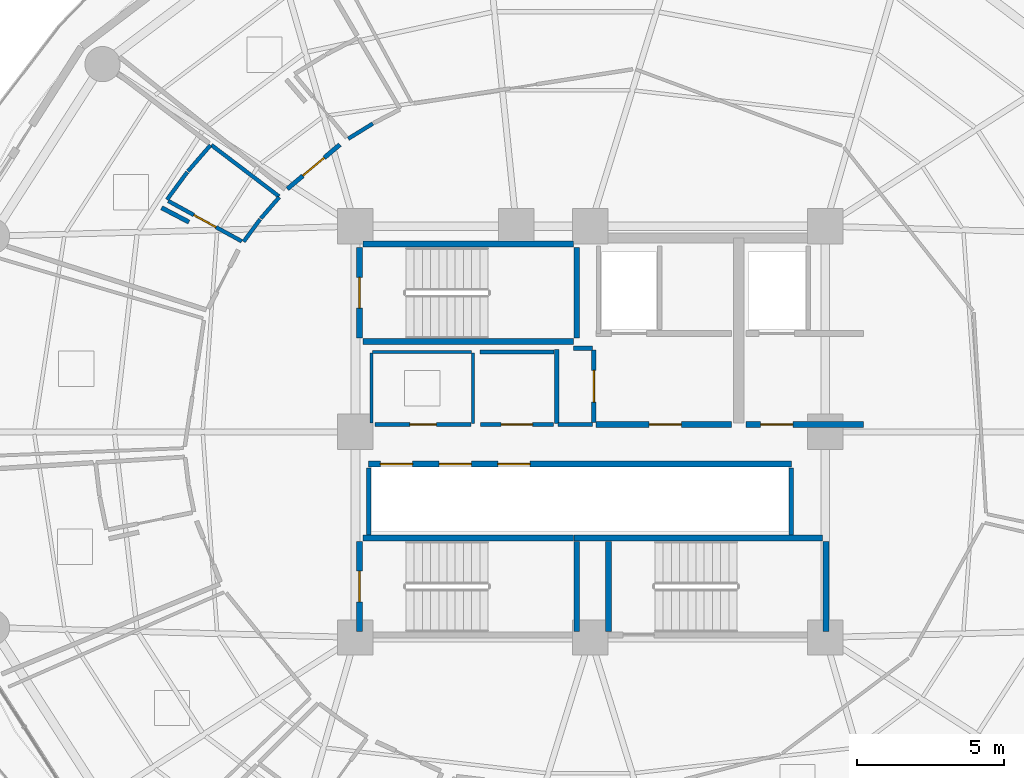
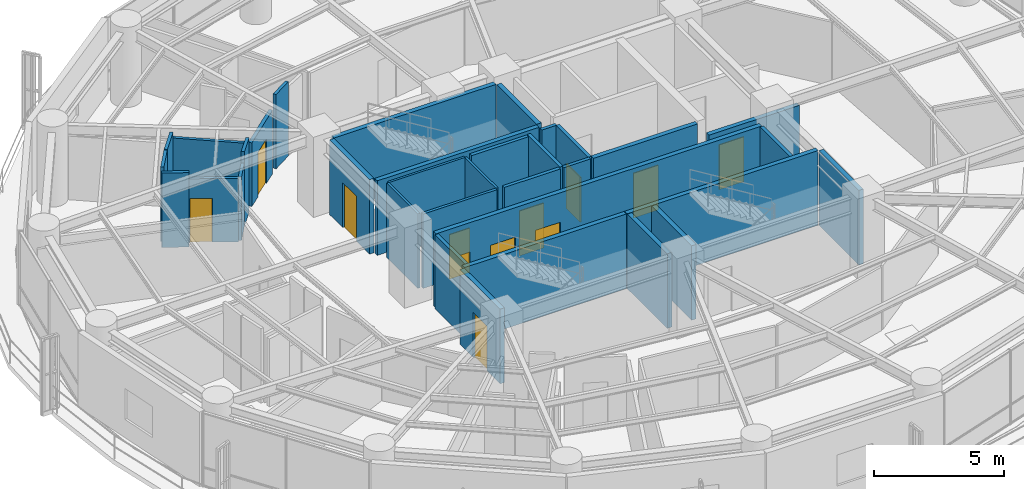
# One storey, part 22 of 27: 34 walls, 12 doors, 12 openings.
"""IFC4 building model written with IfcOpenShell, lengths in metres."""

from ifc_helpers import new_model, si_unit, direction, frame, frame_2d, origin, place, context, subcontext, project, spatial, rectangle, extrude, material, layer, layer_set, type_object, element, fill, save


model = new_model("IFC4")

# Units and contexts
model_context = context("Model", 3, precision=1e-05, world=origin(), true_north=direction((0.0, 1.0)))
body_context = subcontext(model_context, "Body", "Model", "MODEL_VIEW")
ifc_project = project(units=[si_unit("LENGTHUNIT", "METRE"), si_unit("AREAUNIT", "SQUARE_METRE"), si_unit("VOLUMEUNIT", "CUBIC_METRE"), si_unit("PLANEANGLEUNIT", "RADIAN"), si_unit("MASSUNIT", "GRAM", prefix="KILO")], contexts=[model_context])

# Site, building, storey
site_placement = place(None, origin())
site = spatial("IfcSite", under=ifc_project, at=site_placement, CompositionType="ELEMENT")
building_placement = place(site_placement, origin())
building = spatial("IfcBuilding", under=site, at=building_placement, Name="Kelanora Arch Commons", CompositionType="ELEMENT")
storey_placement = place(building_placement, frame((0.0, 0.0, 146.85009765625)))
storey = spatial("IfcBuildingStorey", under=building, at=storey_placement, Name="L37", CompositionType="ELEMENT", Elevation=146.85009765625)

# Walls
ifc_material_1 = material(Name="Autoclaved aerated concrete blockwork with fire plaster", Category="masonry")
ifc_layer_1 = layer(ifc_material_1, 0.14990234375)
ifc_layer_set_1 = layer_set([ifc_layer_1], Name="Autoclaved aerated concrete blockwork with fire plaster")
wall_type_1 = type_object("IfcWallType", Name="W-COMP-150", PredefinedType="PARTITIONING", material=ifc_layer_set_1)
for number, where, z_axis, x_axis, name in (
    (1, (66.4599609375, 54.47998046875, 0.0), (0.0, 0.0, 1.0), (0.0, 1.0, 0.0), "South Lift Bank West Wall L37"),
    (2, (80.840087890625, 54.47998046875, 0.0), (0.0, 0.0, 1.0), (0.0, 1.0, 0.0), "South Lift Bank East Wall L37"),
):
    element("IfcWall", number, at=place(storey_placement, frame(where, z_axis=z_axis, x_axis=x_axis)), inside=storey, type_object=wall_type_1, Name=name, PredefinedType="PARTITIONING", context=body_context, shape_type="SweptSolid", body=[
        extrude(rectangle(XDim=2.2900390625, YDim=0.14990234375, at=frame_2d((1.14501953125, 0.0))), origin(), (0.0, 0.0, 1.0), 3.47998046875),
    ])

# Wall, opening, door
wall_1_placement = place(storey_placement, frame((74.1201171875, 58.31005859375, 0.0), z_axis=(0.0, 0.0, 1.0), x_axis=(0.0, 1.0, 0.0)))
wall_1 = element("IfcWall", 3, at=wall_1_placement, inside=storey, type_object=wall_type_1, Name="Core Linen Supply Store L37 Entry Partition", PredefinedType="PARTITIONING", context=body_context, shape_type="SweptSolid", body=[
    extrude(rectangle(XDim=2.47998046875, YDim=0.14990234375, at=frame_2d((1.239990234375, 0.0))), origin(), (0.0, 0.0, 1.0), 3.47998046875),
])
opening_1_placement = place(wall_1_placement, frame((0.699951171875, 0.0, 0.0)))
opening_1 = element("IfcOpeningElement", 4, at=opening_1_placement, cuts=wall_1, Name="Opening D-PLT1", PredefinedType="OPENING", context=body_context, shape_type="SweptSolid", body=[
    extrude(rectangle(XDim=1.080078125, YDim=2.10009765625, at=frame_2d((0.5400390625, 1.050048828125))), frame((0.0, 0.0849609375, 0.0), z_axis=(0.0, -1.0, 0.0), x_axis=(1.0, 0.0, 0.0)), (0.0, 0.0, 1.0), 0.169921875),
])
ifc_material_2 = material(Name="Galvanised steel plant and riser fire door", Category="steel")
door_type_1 = type_object("IfcDoorType", Name="D-PLT-110", OperationType="NOTDEFINED", PredefinedType="DOOR", material=ifc_material_2)
door_1_placement = place(opening_1_placement, origin())
door_1 = element("IfcDoor", 5, at=door_1_placement, inside=storey, type_object=door_type_1, Name="Core Linen Supply Store L37 Door", OperationType="SINGLE_SWING_LEFT", OverallHeight=2.10009765625, OverallWidth=1.080078125, PredefinedType="DOOR", context=body_context, shape_type="SweptSolid", body=[
    extrude(rectangle(XDim=1.080078125, YDim=2.10009765625, at=frame_2d((0.5400390625, 1.050048828125))), frame((0.0, 0.02490234375, 0.0), z_axis=(0.0, -1.0, 0.0), x_axis=(1.0, 0.0, 0.0)), (0.0, 0.0, 1.0), 0.050048828125),
])
fill(opening_1, door_1)

wall_2_placement = place(storey_placement, frame((70.260009765625, 58.25, 0.0), z_axis=(0.0, 0.0, 1.0), x_axis=(1.0, 0.0, 0.0)))
wall_2 = element("IfcWall", 6, at=wall_2_placement, inside=storey, type_object=wall_type_1, Name="Reclaimed Core Linen Store L37 Entry Partition", PredefinedType="PARTITIONING", context=body_context, shape_type="SweptSolid", body=[
    extrude(rectangle(XDim=2.47998046875, YDim=0.14990234375, at=frame_2d((1.239990234375, 0.0))), origin(), (0.0, 0.0, 1.0), 3.47998046875),
])
opening_2_placement = place(wall_2_placement, frame((0.699951171875, 0.0, 0.0)))
opening_2 = element("IfcOpeningElement", 7, at=opening_2_placement, cuts=wall_2, Name="Opening D-PLT1", PredefinedType="OPENING", context=body_context, shape_type="SweptSolid", body=[
    extrude(rectangle(XDim=1.080078125, YDim=2.10009765625, at=frame_2d((0.5400390625, 1.050048828125))), frame((0.0, 0.0849609375, 0.0), z_axis=(0.0, -1.0, 0.0), x_axis=(1.0, 0.0, 0.0)), (0.0, 0.0, 1.0), 0.169921875),
])
door_2_placement = place(opening_2_placement, origin())
door_2 = element("IfcDoor", 8, at=door_2_placement, inside=storey, type_object=door_type_1, Name="Reclaimed Core Linen Store L37 Door", OperationType="SINGLE_SWING_LEFT", OverallHeight=2.10009765625, OverallWidth=1.080078125, PredefinedType="DOOR", context=body_context, shape_type="SweptSolid", body=[
    extrude(rectangle(XDim=1.080078125, YDim=2.10009765625, at=frame_2d((0.5400390625, 1.050048828125))), frame((0.0, 0.02490234375, 0.0), z_axis=(0.0, -1.0, 0.0), x_axis=(1.0, 0.0, 0.0)), (0.0, 0.0, 1.0), 0.050048828125),
])
fill(opening_2, door_2)

wall_3_placement = place(storey_placement, frame((65.47314453125, 67.7802734375, 0.0), z_axis=(0.0, 0.0, 1.0), x_axis=(-0.764572750514, -0.644537438146, 0.0)))
wall_3 = element("IfcWall", 9, at=wall_3_placement, inside=storey, type_object=wall_type_1, Name="Co-Living Studio L37-01 Entry Partition", PredefinedType="PARTITIONING", context=body_context, shape_type="SweptSolid", body=[
    extrude(rectangle(XDim=2.339111328125, YDim=0.14990234375, at=frame_2d((1.16943359375, 0.0))), origin(), (0.0, 0.0, 1.0), 2.974853515625),
])
opening_3_placement = place(wall_3_placement, frame((0.694091796875, 0.0, 0.0)))
opening_3 = element("IfcOpeningElement", 10, at=opening_3_placement, cuts=wall_3, Name="Opening D-CLU1", PredefinedType="OPENING", context=body_context, shape_type="SweptSolid", body=[
    extrude(rectangle(XDim=0.949951171875, YDim=2.080078125, at=frame_2d((0.47509765625, 1.0400390625))), frame((0.0, 0.0849609375, 0.0), z_axis=(0.0, -1.0, 0.0), x_axis=(1.0, 0.0, 0.0)), (0.0, 0.0, 1.0), 0.169921875),
])
ifc_material_3 = material(Name="Solid-core acoustic timber cluster entry fire door", Category="wood")
door_type_2 = type_object("IfcDoorType", Name="D-CLU-95", OperationType="NOTDEFINED", PredefinedType="DOOR", material=ifc_material_3)
door_3_placement = place(opening_3_placement, origin())
door_3 = element("IfcDoor", 11, at=door_3_placement, inside=storey, type_object=door_type_2, Name="Co-Living Studio L37-01 Door", OperationType="SINGLE_SWING_LEFT", OverallHeight=2.080078125, OverallWidth=0.949951171875, PredefinedType="DOOR", context=body_context, shape_type="SweptSolid", body=[
    extrude(rectangle(XDim=0.949951171875, YDim=2.080078125, at=frame_2d((0.47509765625, 1.0400390625))), frame((0.0, 0.02490234375, 0.0), z_axis=(0.0, -1.0, 0.0), x_axis=(1.0, 0.0, 0.0)), (0.0, 0.0, 1.0), 0.050048828125),
])
fill(opening_3, door_3)

# Walls
wall_4_placement = place(storey_placement, frame((72.89990234375, 58.25, 0.0), z_axis=(0.0, 0.0, 1.0), x_axis=(1.0, 0.0, 0.0)))
element("IfcWall", 12, at=wall_4_placement, inside=storey, type_object=wall_type_1, Name="Core Linen Supply Store L37 Enclosure Partition 1", PredefinedType="PARTITIONING", context=body_context, shape_type="SweptSolid", body=[
    extrude(rectangle(XDim=1.18017578125, YDim=0.14990234375, at=frame_2d((0.590087890625, 0.0))), origin(), (0.0, 0.0, 1.0), 3.47998046875),
])
wall_5_placement = place(storey_placement, frame((74.080078125, 60.85009765625, 0.0), z_axis=(0.0, 0.0, 1.0), x_axis=(-1.0, 0.0, 0.0)))
element("IfcWall", 13, at=wall_5_placement, inside=storey, type_object=wall_type_1, Name="Core Linen Supply Store L37 Enclosure Partition 3", PredefinedType="PARTITIONING", context=body_context, shape_type="SweptSolid", body=[
    extrude(rectangle(XDim=0.66015625, YDim=0.14990234375, at=frame_2d((0.330078125, 0.0))), origin(), (0.0, 0.0, 1.0), 3.47998046875),
])
for number, where, z_axis, x_axis, name in (
    (14, (72.860107421875, 60.81005859375, 0.0), (0.0, 0.0, 1.0), (0.0, -1.0, 0.0), "Core Linen Supply Store L37 Enclosure Partition 4"),
    (15, (72.760009765625, 60.719970703125, 0.0), (0.0, 0.0, 1.0), (-1.0, 0.0, 0.0), "Reclaimed Core Linen Store L37 Enclosure Partition 3"),
):
    element("IfcWall", number, at=place(storey_placement, frame(where, z_axis=z_axis, x_axis=x_axis)), inside=storey, type_object=wall_type_1, Name=name, PredefinedType="PARTITIONING", context=body_context, shape_type="SweptSolid", body=[
        extrude(rectangle(XDim=2.52001953125, YDim=0.14990234375, at=frame_2d((1.260009765625, 0.0))), origin(), (0.0, 0.0, 1.0), 3.47998046875),
    ])
wall_6_placement = place(storey_placement, frame((59.40234375, 65.63037109375, 0.0), z_axis=(0.0, 0.0, 1.0), x_axis=(0.885450338388, -0.46473400806, 0.0)))
element("IfcWall", 16, at=wall_6_placement, inside=storey, type_object=wall_type_1, Name="Co-Living Studio L37-02 Enclosure Partition 7", PredefinedType="PARTITIONING", context=body_context, shape_type="SweptSolid", body=[
    extrude(rectangle(XDim=1.0537109375, YDim=0.14990234375, at=frame_2d((0.52685546875, 0.0))), origin(), (0.0, 0.0, 1.0), 3.47998046875),
])

# Wall, opening, door
ifc_material_4 = material(Name="Concrete C40/50", Category="concrete")
ifc_layer_2 = layer(ifc_material_4, 0.199951171875)
ifc_layer_set_2 = layer_set([ifc_layer_2], Name="Concrete C40/50")
wall_type_2 = type_object("IfcWallType", Name="W-FFL-200", PredefinedType="SOLIDWALL", material=ifc_layer_set_2)
wall_7_placement = place(storey_placement, frame((74.199951171875, 58.25, 0.0), z_axis=(0.0, 0.0, 1.0), x_axis=(1.0, 0.0, 0.0)))
wall_7 = element("IfcWall", 17, at=wall_7_placement, inside=storey, type_object=wall_type_2, Name="Firefighting Lobby 1 Enclosure Wall L37", PredefinedType="SOLIDWALL", context=body_context, shape_type="SweptSolid", body=[
    extrude(rectangle(XDim=4.60009765625, YDim=0.199951171875, at=frame_2d((2.300048828125, 0.0))), origin(), (0.0, 0.0, 1.0), 3.47998046875),
])
opening_4_placement = place(wall_7_placement, frame((1.800048828125, 0.0, 0.0)))
opening_4 = element("IfcOpeningElement", 18, at=opening_4_placement, cuts=wall_7, Name="Opening D-FFL1", PredefinedType="OPENING", context=body_context, shape_type="SweptSolid", body=[
    extrude(rectangle(XDim=1.10009765625, YDim=2.10009765625, at=frame_2d((0.550048828125, 1.050048828125))), frame((0.0, 0.10986328125, 0.0), z_axis=(0.0, -1.0, 0.0), x_axis=(1.0, 0.0, 0.0)), (0.0, 0.0, 1.0), 0.219970703125),
])
ifc_material_5 = material(Name="Smoke-sealed firefighting lobby fire door")
door_type_3 = type_object("IfcDoorType", Name="D-FFL-110", OperationType="NOTDEFINED", PredefinedType="DOOR", material=ifc_material_5)
door_4_placement = place(opening_4_placement, frame((1.10009765625, 0.0, 0.0), z_axis=(0.0, 0.0, 1.0), x_axis=(-1.0, 0.0, 0.0)))
door_4 = element("IfcDoor", 19, at=door_4_placement, inside=storey, type_object=door_type_3, Name="Firefighting Lobby 1 Door L37", OperationType="SINGLE_SWING_LEFT", OverallHeight=2.10009765625, OverallWidth=1.10009765625, PredefinedType="DOOR", context=body_context, shape_type="SweptSolid", body=[
    extrude(rectangle(XDim=1.10009765625, YDim=2.10009765625, at=frame_2d((0.550048828125, 1.050048828125))), frame((0.0, 0.02490234375, 0.0), z_axis=(0.0, -1.0, 0.0), x_axis=(1.0, 0.0, 0.0)), (0.0, 0.0, 1.0), 0.050048828125),
])
fill(opening_4, door_4)

wall_8_placement = place(storey_placement, frame((79.300048828125, 58.25, 0.0), z_axis=(0.0, 0.0, 1.0), x_axis=(1.0, 0.0, 0.0)))
wall_8 = element("IfcWall", 20, at=wall_8_placement, inside=storey, type_object=wall_type_2, Name="Firefighting Lobby 2 Enclosure Wall L37", PredefinedType="SOLIDWALL", context=body_context, shape_type="SweptSolid", body=[
    extrude(rectangle(XDim=4.0, YDim=0.199951171875, at=frame_2d((2.0, 0.0))), origin(), (0.0, 0.0, 1.0), 2.77490234375),
])
opening_5_placement = place(wall_8_placement, frame((0.5, 0.0, 0.0)))
opening_5 = element("IfcOpeningElement", 21, at=opening_5_placement, cuts=wall_8, Name="Opening D-FFL1", PredefinedType="OPENING", context=body_context, shape_type="SweptSolid", body=[
    extrude(rectangle(XDim=1.10009765625, YDim=2.10009765625, at=frame_2d((0.550048828125, 1.050048828125))), frame((0.0, 0.10986328125, 0.0), z_axis=(0.0, -1.0, 0.0), x_axis=(1.0, 0.0, 0.0)), (0.0, 0.0, 1.0), 0.219970703125),
])
door_5_placement = place(opening_5_placement, frame((1.10009765625, 0.0, 0.0), z_axis=(0.0, 0.0, 1.0), x_axis=(-1.0, 0.0, 0.0)))
door_5 = element("IfcDoor", 22, at=door_5_placement, inside=storey, type_object=door_type_3, Name="Firefighting Lobby 2 Door L37", OperationType="SINGLE_SWING_RIGHT", OverallHeight=2.10009765625, OverallWidth=1.10009765625, PredefinedType="DOOR", context=body_context, shape_type="SweptSolid", body=[
    extrude(rectangle(XDim=1.10009765625, YDim=2.10009765625, at=frame_2d((0.550048828125, 1.050048828125))), frame((0.0, 0.02490234375, 0.0), z_axis=(0.0, -1.0, 0.0), x_axis=(1.0, 0.0, 0.0)), (0.0, 0.0, 1.0), 0.050048828125),
])
fill(opening_5, door_5)

# Wall, openings, doors
wall_9_placement = place(storey_placement, frame((66.449951171875, 56.89990234375, 0.0), z_axis=(0.0, 0.0, 1.0), x_axis=(1.0, 0.0, 0.0)))
wall_9 = element("IfcWall", 23, at=wall_9_placement, inside=storey, type_object=wall_type_2, Name="Mid/High/Express Lift Shaft Front L37", PredefinedType="SOLIDWALL", context=body_context, shape_type="SweptSolid", body=[
    extrude(rectangle(XDim=14.400146484375, YDim=0.199951171875, at=frame_2d((7.2001953125, 0.0))), origin(), (0.0, 0.0, 1.0), 3.47998046875),
])
opening_6_placement = place(wall_9_placement, frame((0.39990234375, 0.0, 0.0)))
opening_6 = element("IfcOpeningElement", 24, at=opening_6_placement, cuts=wall_9, Name="Opening LD-01", PredefinedType="OPENING", context=body_context, shape_type="SweptSolid", body=[
    extrude(rectangle(XDim=1.10009765625, YDim=2.10009765625, at=frame_2d((0.550048828125, 1.050048828125))), frame((0.0, 0.10986328125, 0.0), z_axis=(0.0, -1.0, 0.0), x_axis=(1.0, 0.0, 0.0)), (0.0, 0.0, 1.0), 0.219970703125),
])
opening_7_placement = place(wall_9_placement, frame((2.39990234375, 0.0, 0.0)))
opening_7 = element("IfcOpeningElement", 25, at=opening_7_placement, cuts=wall_9, Name="Opening LD-01", PredefinedType="OPENING", context=body_context, shape_type="SweptSolid", body=[
    extrude(rectangle(XDim=1.10009765625, YDim=2.10009765625, at=frame_2d((0.550048828125, 1.050048828125))), frame((0.0, 0.10986328125, 0.0), z_axis=(0.0, -1.0, 0.0), x_axis=(1.0, 0.0, 0.0)), (0.0, 0.0, 1.0), 0.219970703125),
])
opening_8_placement = place(wall_9_placement, frame((4.39990234375, 0.0, 0.0)))
opening_8 = element("IfcOpeningElement", 26, at=opening_8_placement, cuts=wall_9, Name="Opening LD-01", PredefinedType="OPENING", context=body_context, shape_type="SweptSolid", body=[
    extrude(rectangle(XDim=1.10009765625, YDim=2.10009765625, at=frame_2d((0.550048828125, 1.050048828125))), frame((0.0, 0.10986328125, 0.0), z_axis=(0.0, -1.0, 0.0), x_axis=(1.0, 0.0, 0.0)), (0.0, 0.0, 1.0), 0.219970703125),
])
ifc_material_6 = material(Name="Stainless steel passenger lift sliding landing door", Category="steel")
door_type_4 = type_object("IfcDoorType", Name="D-LIFT-110", OperationType="NOTDEFINED", PredefinedType="DOOR", material=ifc_material_6)
door_6_placement = place(opening_6_placement, origin())
door_6 = element("IfcDoor", 27, at=door_6_placement, inside=storey, type_object=door_type_4, Name="Passenger Lift LF-P4 Landing Door L37", OperationType="DOUBLE_DOOR_SLIDING", OverallHeight=2.10009765625, OverallWidth=1.10009765625, PredefinedType="DOOR", context=body_context, shape_type="SweptSolid", body=[
    extrude(rectangle(XDim=1.10009765625, YDim=2.10009765625, at=frame_2d((0.550048828125, 1.050048828125))), frame((0.0, 0.02490234375, 0.0), z_axis=(0.0, -1.0, 0.0), x_axis=(1.0, 0.0, 0.0)), (0.0, 0.0, 1.0), 0.050048828125),
])
fill(opening_6, door_6)
door_7_placement = place(opening_7_placement, origin())
door_7 = element("IfcDoor", 28, at=door_7_placement, inside=storey, type_object=door_type_4, Name="Passenger Lift LF-P5 Landing Door L37", OperationType="DOUBLE_DOOR_SLIDING", OverallHeight=2.10009765625, OverallWidth=1.10009765625, PredefinedType="DOOR", context=body_context, shape_type="SweptSolid", body=[
    extrude(rectangle(XDim=1.10009765625, YDim=2.10009765625, at=frame_2d((0.550048828125, 1.050048828125))), frame((0.0, 0.02490234375, 0.0), z_axis=(0.0, -1.0, 0.0), x_axis=(1.0, 0.0, 0.0)), (0.0, 0.0, 1.0), 0.050048828125),
])
fill(opening_7, door_7)
door_8_placement = place(opening_8_placement, origin())
door_8 = element("IfcDoor", 29, at=door_8_placement, inside=storey, type_object=door_type_4, Name="Passenger Lift LF-P6 Landing Door L37", OperationType="DOUBLE_DOOR_SLIDING", OverallHeight=2.10009765625, OverallWidth=1.10009765625, PredefinedType="DOOR", context=body_context, shape_type="SweptSolid", body=[
    extrude(rectangle(XDim=1.10009765625, YDim=2.10009765625, at=frame_2d((0.550048828125, 1.050048828125))), frame((0.0, 0.02490234375, 0.0), z_axis=(0.0, -1.0, 0.0), x_axis=(1.0, 0.0, 0.0)), (0.0, 0.0, 1.0), 0.050048828125),
])
fill(opening_8, door_8)

# Walls
ifc_material_7 = material(Name="Lightweight fire-rated acoustic stud partition")
ifc_layer_3 = layer(ifc_material_7, 0.10009765625)
ifc_layer_set_3 = layer_set([ifc_layer_3], Name="Lightweight fire-rated acoustic stud partition")
wall_type_3 = type_object("IfcWallType", Name="W-PART-100", PredefinedType="PARTITIONING", material=ifc_layer_set_3)
wall_10_placement = place(storey_placement, frame((70.0, 58.2900390625, 0.0), z_axis=(0.0, 0.0, 1.0), x_axis=(0.0, 1.0, 0.0)))
element("IfcWall", 30, at=wall_10_placement, inside=storey, type_object=wall_type_3, Name="Reclaimed Core Quiet Phone Booths L37 Enclosure Partition 2", PredefinedType="PARTITIONING", context=body_context, shape_type="SweptSolid", body=[
    extrude(rectangle(XDim=2.389892578125, YDim=0.10009765625, at=frame_2d((1.19482421875, 0.0))), origin(), (0.0, 0.0, 1.0), 3.47998046875),
])
wall_11_placement = place(storey_placement, frame((69.9599609375, 60.719970703125, 0.0), z_axis=(0.0, 0.0, 1.0), x_axis=(-1.0, 0.0, 0.0)))
element("IfcWall", 31, at=wall_11_placement, inside=storey, type_object=wall_type_3, Name="Reclaimed Core Quiet Phone Booths L37 Enclosure Partition 3", PredefinedType="PARTITIONING", context=body_context, shape_type="SweptSolid", body=[
    extrude(rectangle(XDim=3.369873046875, YDim=0.10009765625, at=frame_2d((1.68505859375, 0.0))), origin(), (0.0, 0.0, 1.0), 3.47998046875),
])
wall_12_placement = place(storey_placement, frame((66.550048828125, 60.679931640625, 0.0), z_axis=(0.0, 0.0, 1.0), x_axis=(0.0, -1.0, 0.0)))
element("IfcWall", 32, at=wall_12_placement, inside=storey, type_object=wall_type_3, Name="Reclaimed Core Quiet Phone Booths L37 Enclosure Partition 4", PredefinedType="PARTITIONING", context=body_context, shape_type="SweptSolid", body=[
    extrude(rectangle(XDim=2.383056640625, YDim=0.10009765625, at=frame_2d((1.19140625, 0.0))), origin(), (0.0, 0.0, 1.0), 3.47998046875),
])

# Wall, opening, door
ifc_material_8 = material(Name="Acoustic twin-stud fire-rated gypsum partition")
ifc_layer_4 = layer(ifc_material_8, 0.1201171875)
ifc_layer_set_4 = layer_set([ifc_layer_4], Name="Acoustic twin-stud fire-rated gypsum partition")
wall_type_4 = type_object("IfcWallType", Name="W-PART-120", PredefinedType="PARTITIONING", material=ifc_layer_set_4)
wall_13_placement = place(storey_placement, frame((66.67529296875, 58.25, 0.0), z_axis=(0.0, 0.0, 1.0), x_axis=(1.0, 0.0, 0.0)))
wall_13 = element("IfcWall", 33, at=wall_13_placement, inside=storey, type_object=wall_type_4, Name="Reclaimed Core Quiet Phone Booths L37 Entry Partition", PredefinedType="PARTITIONING", context=body_context, shape_type="SweptSolid", body=[
    extrude(rectangle(XDim=3.2646484375, YDim=0.1201171875, at=frame_2d((1.63232421875, 0.0))), origin(), (0.0, 0.0, 1.0), 3.47998046875),
])
opening_9_placement = place(wall_13_placement, frame((1.181884765625, 0.0, 0.0)))
opening_9 = element("IfcOpeningElement", 34, at=opening_9_placement, cuts=wall_13, Name="Opening D-RM1", PredefinedType="OPENING", context=body_context, shape_type="SweptSolid", body=[
    extrude(rectangle(XDim=0.89990234375, YDim=2.080078125, at=frame_2d((0.449951171875, 1.0400390625))), frame((0.0, 0.070068359375, 0.0), z_axis=(0.0, -1.0, 0.0), x_axis=(1.0, 0.0, 0.0)), (0.0, 0.0, 1.0), 0.14013671875),
])
ifc_material_9 = material(Name="Acoustic fire-rated timber study and lounge door", Category="wood")
door_type_5 = type_object("IfcDoorType", Name="D-ROOM-90", OperationType="NOTDEFINED", PredefinedType="DOOR", material=ifc_material_9)
door_9_placement = place(opening_9_placement, origin())
door_9 = element("IfcDoor", 35, at=door_9_placement, inside=storey, type_object=door_type_5, Name="Reclaimed Core Quiet Phone Booths L37 Door", OperationType="SINGLE_SWING_RIGHT", OverallHeight=2.080078125, OverallWidth=0.89990234375, PredefinedType="DOOR", context=body_context, shape_type="SweptSolid", body=[
    extrude(rectangle(XDim=0.89990234375, YDim=2.080078125, at=frame_2d((0.449951171875, 1.0400390625))), frame((0.0, 0.02490234375, 0.0), z_axis=(0.0, -1.0, 0.0), x_axis=(1.0, 0.0, 0.0)), (0.0, 0.0, 1.0), 0.050048828125),
])
fill(opening_9, door_9)

# Walls
ifc_layer_5 = layer(ifc_material_4, 0.199951171875)
ifc_layer_set_5 = layer_set([ifc_layer_5], Name="Concrete C40/50")
wall_type_5 = type_object("IfcWallType", Name="W-STAIR-200", PredefinedType="SHEAR", material=ifc_layer_set_5)
wall_14_placement = place(storey_placement, frame((66.260009765625, 61.080078125, 0.0), z_axis=(0.0, 0.0, 1.0), x_axis=(1.0, 0.0, 0.0)))
element("IfcWall", 36, at=wall_14_placement, inside=storey, type_object=wall_type_5, Name="Stair ST-T1 Shaft Wall S L37", PredefinedType="SHEAR", context=body_context, shape_type="SweptSolid", body=[
    extrude(rectangle(XDim=7.159912109375, YDim=0.199951171875, at=frame_2d((3.580078125, 0.0))), origin(), (0.0, 0.0, 1.0), 3.489990234375),
])
wall_15_placement = place(storey_placement, frame((73.5400390625, 61.199951171875, 0.0), z_axis=(0.0, 0.0, 1.0), x_axis=(0.0, 1.0, 0.0)))
element("IfcWall", 37, at=wall_15_placement, inside=storey, type_object=wall_type_5, Name="Stair ST-T1 Shaft Wall E L37", PredefinedType="SHEAR", context=body_context, shape_type="SweptSolid", body=[
    extrude(rectangle(XDim=3.070068359375, YDim=0.199951171875, at=frame_2d((1.53515625, 0.0))), origin(), (0.0, 0.0, 1.0), 3.489990234375),
])
wall_16_placement = place(storey_placement, frame((73.419921875, 64.389892578125, 0.0), z_axis=(0.0, 0.0, 1.0), x_axis=(-1.0, 0.0, 0.0)))
element("IfcWall", 38, at=wall_16_placement, inside=storey, type_object=wall_type_5, Name="Stair ST-T1 Shaft Wall N L37", PredefinedType="SHEAR", context=body_context, shape_type="SweptSolid", body=[
    extrude(rectangle(XDim=7.159912109375, YDim=0.199951171875, at=frame_2d((3.580078125, 0.0))), origin(), (0.0, 0.0, 1.0), 3.489990234375),
])

# Wall, opening, door
wall_17_placement = place(storey_placement, frame((66.139892578125, 64.27001953125, 0.0), z_axis=(0.0, 0.0, 1.0), x_axis=(0.0, -1.0, 0.0)))
wall_17 = element("IfcWall", 39, at=wall_17_placement, inside=storey, type_object=wall_type_5, Name="Stair ST-T1 Shaft Wall W L37", PredefinedType="SHEAR", context=body_context, shape_type="SweptSolid", body=[
    extrude(rectangle(XDim=3.070068359375, YDim=0.199951171875, at=frame_2d((1.53515625, 0.0))), origin(), (0.0, 0.0, 1.0), 3.489990234375),
])
opening_10_placement = place(wall_17_placement, frame((1.010009765625, 0.0, 0.0)))
opening_10 = element("IfcOpeningElement", 40, at=opening_10_placement, cuts=wall_17, Name="Opening D-ST1", PredefinedType="OPENING", context=body_context, shape_type="SweptSolid", body=[
    extrude(rectangle(XDim=1.050048828125, YDim=2.10009765625, at=frame_2d((0.52490234375, 1.050048828125))), frame((0.0, 0.10986328125, 0.0), z_axis=(0.0, -1.0, 0.0), x_axis=(1.0, 0.0, 0.0)), (0.0, 0.0, 1.0), 0.219970703125),
])
ifc_material_10 = material(Name="Steel fire-rated stairwell escape door", Category="steel")
door_type_6 = type_object("IfcDoorType", Name="D-STAIR-110", OperationType="NOTDEFINED", PredefinedType="DOOR", material=ifc_material_10)
door_10_placement = place(opening_10_placement, origin())
door_10 = element("IfcDoor", 41, at=door_10_placement, inside=storey, type_object=door_type_6, Name="Stair ST-T1 Escape Door L37", OperationType="SINGLE_SWING_LEFT", OverallHeight=2.10009765625, OverallWidth=1.050048828125, PredefinedType="DOOR", context=body_context, shape_type="SweptSolid", body=[
    extrude(rectangle(XDim=1.050048828125, YDim=2.10009765625, at=frame_2d((0.52490234375, 1.050048828125))), frame((0.0, 0.02490234375, 0.0), z_axis=(0.0, -1.0, 0.0), x_axis=(1.0, 0.0, 0.0)), (0.0, 0.0, 1.0), 0.050048828125),
])
fill(opening_10, door_10)

# Walls
wall_18_placement = place(storey_placement, frame((82.02001953125, 51.199951171875, 0.0), z_axis=(0.0, 0.0, 1.0), x_axis=(0.0, 1.0, 0.0)))
element("IfcWall", 42, at=wall_18_placement, inside=storey, type_object=wall_type_5, Name="Stair ST-T2 Shaft Wall E L37", PredefinedType="SHEAR", context=body_context, shape_type="SweptSolid", body=[
    extrude(rectangle(XDim=3.070068359375, YDim=0.199951171875, at=frame_2d((1.53515625, 0.0))), origin(), (0.0, 0.0, 1.0), 3.489990234375),
])
wall_19_placement = place(storey_placement, frame((81.89990234375, 54.389892578125, 0.0), z_axis=(0.0, 0.0, 1.0), x_axis=(-1.0, 0.0, 0.0)))
element("IfcWall", 43, at=wall_19_placement, inside=storey, type_object=wall_type_5, Name="Stair ST-T2 Shaft Wall N L37", PredefinedType="SHEAR", context=body_context, shape_type="SweptSolid", body=[
    extrude(rectangle(XDim=8.4599609375, YDim=0.199951171875, at=frame_2d((4.22998046875, 0.0))), origin(), (0.0, 0.0, 1.0), 3.489990234375),
])
for number, where, z_axis, x_axis, name in (
    (44, (74.6201171875, 54.27001953125, 0.0), (0.0, 0.0, 1.0), (0.0, -1.0, 0.0), "Stair ST-T2 Shaft Wall W L37"),
    (45, (73.5400390625, 51.199951171875, 0.0), (0.0, 0.0, 1.0), (0.0, 1.0, 0.0), "Stair ST-T3 Shaft Wall E L37"),
):
    element("IfcWall", number, at=place(storey_placement, frame(where, z_axis=z_axis, x_axis=x_axis)), inside=storey, type_object=wall_type_5, Name=name, PredefinedType="SHEAR", context=body_context, shape_type="SweptSolid", body=[
        extrude(rectangle(XDim=3.070068359375, YDim=0.199951171875, at=frame_2d((1.53515625, 0.0))), origin(), (0.0, 0.0, 1.0), 3.489990234375),
    ])
wall_20_placement = place(storey_placement, frame((73.419921875, 54.389892578125, 0.0), z_axis=(0.0, 0.0, 1.0), x_axis=(-1.0, 0.0, 0.0)))
element("IfcWall", 46, at=wall_20_placement, inside=storey, type_object=wall_type_5, Name="Stair ST-T3 Shaft Wall N L37", PredefinedType="SHEAR", context=body_context, shape_type="SweptSolid", body=[
    extrude(rectangle(XDim=7.159912109375, YDim=0.199951171875, at=frame_2d((3.580078125, 0.0))), origin(), (0.0, 0.0, 1.0), 3.489990234375),
])

# Wall, opening, door
wall_21_placement = place(storey_placement, frame((66.139892578125, 54.27001953125, 0.0), z_axis=(0.0, 0.0, 1.0), x_axis=(0.0, -1.0, 0.0)))
wall_21 = element("IfcWall", 47, at=wall_21_placement, inside=storey, type_object=wall_type_5, Name="Stair ST-T3 Shaft Wall W L37", PredefinedType="SHEAR", context=body_context, shape_type="SweptSolid", body=[
    extrude(rectangle(XDim=3.070068359375, YDim=0.199951171875, at=frame_2d((1.53515625, 0.0))), origin(), (0.0, 0.0, 1.0), 3.489990234375),
])
opening_11_placement = place(wall_21_placement, frame((1.010009765625, 0.0, 0.0)))
opening_11 = element("IfcOpeningElement", 48, at=opening_11_placement, cuts=wall_21, Name="Opening D-ST1", PredefinedType="OPENING", context=body_context, shape_type="SweptSolid", body=[
    extrude(rectangle(XDim=1.050048828125, YDim=2.10009765625, at=frame_2d((0.52490234375, 1.050048828125))), frame((0.0, 0.10986328125, 0.0), z_axis=(0.0, -1.0, 0.0), x_axis=(1.0, 0.0, 0.0)), (0.0, 0.0, 1.0), 0.219970703125),
])
door_11_placement = place(opening_11_placement, origin())
door_11 = element("IfcDoor", 49, at=door_11_placement, inside=storey, type_object=door_type_6, Name="Stair ST-T3 Escape Door L37", OperationType="SINGLE_SWING_LEFT", OverallHeight=2.10009765625, OverallWidth=1.050048828125, PredefinedType="DOOR", context=body_context, shape_type="SweptSolid", body=[
    extrude(rectangle(XDim=1.050048828125, YDim=2.10009765625, at=frame_2d((0.52490234375, 1.050048828125))), frame((0.0, 0.02490234375, 0.0), z_axis=(0.0, -1.0, 0.0), x_axis=(1.0, 0.0, 0.0)), (0.0, 0.0, 1.0), 0.050048828125),
])
fill(opening_11, door_11)

ifc_material_11 = material(Name="Moisture-resistant fire-rated cement-board plumbing wall")
ifc_layer_6 = layer(ifc_material_11, 0.1298828125)
ifc_layer_set_6 = layer_set([ifc_layer_6], Name="Moisture-resistant fire-rated cement-board plumbing wall")
wall_type_6 = type_object("IfcWallType", Name="W-WET-120", PredefinedType="PLUMBINGWALL", material=ifc_layer_set_6)
wall_22_placement = place(storey_placement, frame((62.13134765625, 64.489013671875, 0.0), z_axis=(0.0, 0.0, 1.0), x_axis=(-0.87680194327, 0.480851694681, 0.0)))
wall_22 = element("IfcWall", 50, at=wall_22_placement, inside=storey, type_object=wall_type_6, Name="En-Suite Shower WC L37-02 Entry Partition", PredefinedType="PLUMBINGWALL", context=body_context, shape_type="SweptSolid", body=[
    extrude(rectangle(XDim=2.85546875, YDim=0.1298828125, at=frame_2d((1.427734375, 0.0))), origin(), (0.0, 0.0, 1.0), 2.974853515625),
])
opening_12_placement = place(wall_22_placement, frame((0.998046875, 0.0, 0.0)))
opening_12 = element("IfcOpeningElement", 51, at=opening_12_placement, cuts=wall_22, Name="Opening D-BT1", PredefinedType="OPENING", context=body_context, shape_type="SweptSolid", body=[
    extrude(rectangle(XDim=0.860107421875, YDim=2.050048828125, at=frame_2d((0.43017578125, 1.02490234375))), frame((0.0, 0.074951171875, 0.0), z_axis=(0.0, -1.0, 0.0), x_axis=(1.0, 0.0, 0.0)), (0.0, 0.0, 1.0), 0.14990234375),
])
ifc_material_12 = material(Name="Moisture-sealed fire-rated accessible bathroom door")
door_type_7 = type_object("IfcDoorType", Name="D-BATH-85", OperationType="NOTDEFINED", PredefinedType="DOOR", material=ifc_material_12)
door_12_placement = place(opening_12_placement, origin())
door_12 = element("IfcDoor", 52, at=door_12_placement, inside=storey, type_object=door_type_7, Name="En-Suite Shower WC L37-02 Door", OperationType="SINGLE_SWING_RIGHT", OverallHeight=2.050048828125, OverallWidth=0.860107421875, PredefinedType="DOOR", context=body_context, shape_type="SweptSolid", body=[
    extrude(rectangle(XDim=0.860107421875, YDim=2.050048828125, at=frame_2d((0.43017578125, 1.02490234375))), frame((0.0, 0.02490234375, 0.0), z_axis=(0.0, -1.0, 0.0), x_axis=(1.0, 0.0, 0.0)), (0.0, 0.0, 1.0), 0.050048828125),
])
fill(opening_12, door_12)

# Walls
wall_23_placement = place(storey_placement, frame((66.595947265625, 68.49755859375, 0.0), z_axis=(0.0, 0.0, 1.0), x_axis=(-0.851266784219, -0.52473313416, 0.0)))
element("IfcWall", 53, at=wall_23_placement, inside=storey, type_object=wall_type_6, Name="En-Suite Shower WC L37-01 Enclosure Partition 2", PredefinedType="PLUMBINGWALL", context=body_context, shape_type="SweptSolid", body=[
    extrude(rectangle(XDim=0.9853515625, YDim=0.1298828125, at=frame_2d((0.49267578125, 0.0))), origin(), (0.0, 0.0, 1.0), 3.47998046875),
])
wall_24_placement = place(storey_placement, frame((63.406005859375, 65.989013671875, 0.0), z_axis=(0.0, 0.0, 1.0), x_axis=(-0.654452758924, -0.756102894015, 0.0)))
element("IfcWall", 54, at=wall_24_placement, inside=storey, type_object=wall_type_6, Name="En-Suite Shower WC L37-02 Enclosure Partition 1", PredefinedType="PLUMBINGWALL", context=body_context, shape_type="SweptSolid", body=[
    extrude(rectangle(XDim=0.95361328125, YDim=0.1298828125, at=frame_2d((0.476806640625, 0.0))), origin(), (0.0, 0.0, 1.0), 3.47998046875),
])
wall_25_placement = place(storey_placement, frame((62.757080078125, 65.23681640625, 0.0), z_axis=(0.0, 0.0, 1.0), x_axis=(-0.593701036402, -0.804685702231, 0.0)))
element("IfcWall", 55, at=wall_25_placement, inside=storey, type_object=wall_type_6, Name="En-Suite Shower WC L37-02 Enclosure Partition 2", PredefinedType="PLUMBINGWALL", context=body_context, shape_type="SweptSolid", body=[
    extrude(rectangle(XDim=0.9453125, YDim=0.1298828125, at=frame_2d((0.47265625, 0.0))), origin(), (0.0, 0.0, 1.0), 2.974853515625),
])
wall_26_placement = place(storey_placement, frame((59.5869140625, 65.906982421875, 0.0), z_axis=(0.0, 0.0, 1.0), x_axis=(0.592518663081, 0.805556722956, 0.0)))
element("IfcWall", 56, at=wall_26_placement, inside=storey, type_object=wall_type_6, Name="En-Suite Shower WC L37-02 Enclosure Partition 4", PredefinedType="PLUMBINGWALL", context=body_context, shape_type="SweptSolid", body=[
    extrude(rectangle(XDim=1.1630859375, YDim=0.1298828125, at=frame_2d((0.58154296875, 0.0))), origin(), (0.0, 0.0, 1.0), 3.47998046875),
])
wall_27_placement = place(storey_placement, frame((60.301025390625, 66.875, 0.0), z_axis=(0.0, 0.0, 1.0), x_axis=(0.654502595292, 0.756059754752, 0.0)))
element("IfcWall", 57, at=wall_27_placement, inside=storey, type_object=wall_type_6, Name="En-Suite Shower WC L37-02 Enclosure Partition 5", PredefinedType="PLUMBINGWALL", context=body_context, shape_type="SweptSolid", body=[
    extrude(rectangle(XDim=1.173095703125, YDim=0.1298828125, at=frame_2d((0.58642578125, 0.0))), origin(), (0.0, 0.0, 1.0), 3.47998046875),
])
wall_28_placement = place(storey_placement, frame((61.097900390625, 67.764892578125, 0.0), z_axis=(0.0, 0.0, 1.0), x_axis=(0.796687067956, -0.604392021581, 0.0)))
element("IfcWall", 58, at=wall_28_placement, inside=storey, type_object=wall_type_6, Name="En-Suite Shower WC L37-02 Enclosure Partition 6", PredefinedType="PLUMBINGWALL", context=body_context, shape_type="SweptSolid", body=[
    extrude(rectangle(XDim=2.8935546875, YDim=0.1298828125, at=frame_2d((1.44677734375, 0.0))), origin(), (0.0, 0.0, 1.0), 3.23486328125),
])

save(model, "model.ifc")
